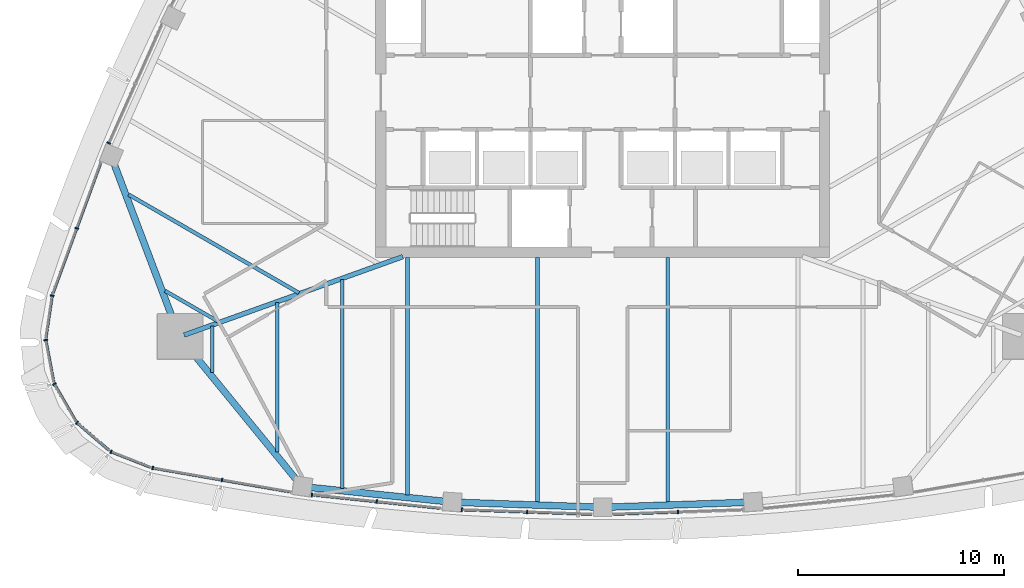
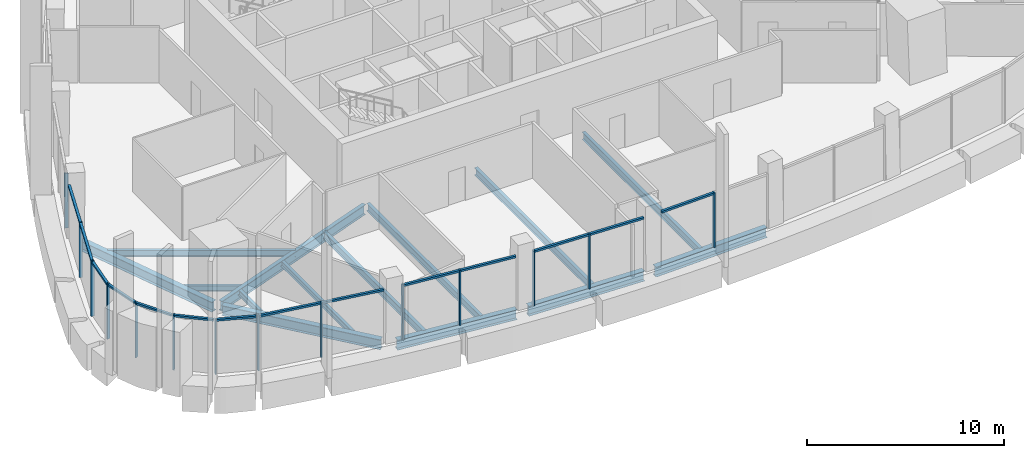
# One storey, part 2 of 19: 28 members, 14 beams, 11 elements without a shape of their own.
"""IFC4 building model written with IfcOpenShell, lengths in metres."""

from ifc_helpers import new_model, si_unit, direction, frame, origin, origin_2d, place, context, subcontext, project, spatial, rectangle, i_section, extrude, material, layer, layer_set, material_profile, profile_set, type_object, element, aggregate, save


model = new_model("IFC4")

# Units and contexts
model_context = context("Model", 3, precision=1e-05, world=origin(), true_north=direction((0.0, 1.0)))
body_context = subcontext(model_context, "Body", "Model", "MODEL_VIEW")
ifc_project = project(units=[si_unit("LENGTHUNIT", "METRE"), si_unit("AREAUNIT", "SQUARE_METRE"), si_unit("VOLUMEUNIT", "CUBIC_METRE"), si_unit("PLANEANGLEUNIT", "RADIAN"), si_unit("MASSUNIT", "GRAM", prefix="KILO")], contexts=[model_context])

# Site, building, storey
site_placement = place(None, origin())
site = spatial("IfcSite", under=ifc_project, at=site_placement, CompositionType="ELEMENT")
building_placement = place(site_placement, origin())
building = spatial("IfcBuilding", under=site, at=building_placement, Name="Sierra Prisma Convention Tower", CompositionType="ELEMENT")
storey_placement = place(building_placement, frame((0.0, 0.0, 295.0)))
storey = spatial("IfcBuildingStorey", under=building, at=storey_placement, Name="L67", CompositionType="ELEMENT", Elevation=295.0)

# Curtain wall, members
ifc_material_1 = material(Name="Aluminium and glass curtain wall", Category="aluminium")
ifc_layer = layer(ifc_material_1, 0.179931640625)
ifc_layer_set = layer_set([ifc_layer], Name="CW-1 Plain shaft curtain wall")
curtain_wall_type = type_object("IfcCurtainWallType", Name="CW-1 Plain shaft curtain wall", PredefinedType="NOTDEFINED", material=ifc_layer_set)
curtain_wall_1_placement = place(storey_placement, origin())
curtain_wall_1 = element("IfcCurtainWall", 1, at=curtain_wall_1_placement, inside=storey, type_object=curtain_wall_type, Name="CW-1 S1 L67", PredefinedType="NOTDEFINED")
ifc_material_2 = material(Name="Aluminium 6063-T6 bronze anodised", Category="aluminium")
ifc_material_profile_1 = material_profile(ifc_material_2, rectangle(XDim=0.179931640625, YDim=0.070068359375, at=origin_2d()), Name="ALU MULLION 70x180")
ifc_profile_set_1 = profile_set([ifc_material_profile_1], Name="Aluminium 6063-T6 bronze anodised")
member_type_1 = type_object("IfcMemberType", Name="CW mullion bronze", PredefinedType="MULLION", material=ifc_profile_set_1)
member_1_placement = place(storey_placement, frame((-21.80859375, -18.202880859375, 0.0), z_axis=(0.0, 0.0, 1.0), x_axis=(0.17132607333, 0.985214381035, 0.0)))
member_1 = element("IfcMember", 2, at=member_1_placement, type_object=member_type_1, Name="CW-1 mullion S1.1", PredefinedType="MULLION", context=body_context, shape_type="SweptSolid", body=[
    extrude(rectangle(XDim=0.179931640625, YDim=0.070068359375, at=origin_2d()), origin(), (0.0, 0.0, 1.0), 3.39990234375),
])
member_2_placement = place(storey_placement, frame((-18.453125, -18.786376953125, 0.0), z_axis=(0.0, 0.0, 1.0), x_axis=(0.17132607333, 0.985214381035, 0.0)))
member_2 = element("IfcMember", 3, at=member_2_placement, type_object=member_type_1, Name="CW-1 mullion S1.2", PredefinedType="MULLION", context=body_context, shape_type="SweptSolid", body=[
    extrude(rectangle(XDim=0.179931640625, YDim=0.070068359375, at=origin_2d()), origin(), (0.0, 0.0, 1.0), 3.39990234375),
])

curtain_wall_2_placement = place(storey_placement, origin())
curtain_wall_2 = element("IfcCurtainWall", 4, at=curtain_wall_2_placement, inside=storey, type_object=curtain_wall_type, Name="CW-1 S2 L67", PredefinedType="NOTDEFINED")
member_3_placement = place(storey_placement, frame((-14.093994140625, -19.507568359375, 0.0), z_axis=(0.0, 0.0, 1.0), x_axis=(0.10312164449, 0.994668752117, 0.0)))
member_3 = element("IfcMember", 5, at=member_3_placement, type_object=member_type_1, Name="CW-1 mullion S2.1", PredefinedType="MULLION", context=body_context, shape_type="SweptSolid", body=[
    extrude(rectangle(XDim=0.179931640625, YDim=0.070068359375, at=origin_2d()), origin(), (0.0, 0.0, 1.0), 3.39990234375),
])
member_4_placement = place(storey_placement, frame((-10.951904296875, -19.833251953125, 0.0), z_axis=(0.0, 0.0, 1.0), x_axis=(0.10312164449, 0.994668752117, 0.0)))
member_4 = element("IfcMember", 6, at=member_4_placement, type_object=member_type_1, Name="CW-1 mullion S2.2", PredefinedType="MULLION", context=body_context, shape_type="SweptSolid", body=[
    extrude(rectangle(XDim=0.179931640625, YDim=0.070068359375, at=origin_2d()), origin(), (0.0, 0.0, 1.0), 3.39990234375),
])

curtain_wall_3_placement = place(storey_placement, origin())
curtain_wall_3 = element("IfcCurtainWall", 7, at=curtain_wall_3_placement, inside=storey, type_object=curtain_wall_type, Name="CW-1 S3 L67", PredefinedType="NOTDEFINED")
member_5_placement = place(storey_placement, frame((-6.83056640625, -20.22607421875, 0.0), z_axis=(0.0, 0.0, 1.0), x_axis=(0.034428292311, 0.999407170621, 0.0)))
member_5 = element("IfcMember", 8, at=member_5_placement, type_object=member_type_1, Name="CW-1 mullion S3.1", PredefinedType="MULLION", context=body_context, shape_type="SweptSolid", body=[
    extrude(rectangle(XDim=0.179931640625, YDim=0.070068359375, at=origin_2d()), origin(), (0.0, 0.0, 1.0), 3.39990234375),
])
member_6_placement = place(storey_placement, frame((-3.65771484375, -20.33544921875, 0.0), z_axis=(0.0, 0.0, 1.0), x_axis=(0.034428292311, 0.999407170621, 0.0)))
member_6 = element("IfcMember", 9, at=member_6_placement, type_object=member_type_1, Name="CW-1 mullion S3.2", PredefinedType="MULLION", context=body_context, shape_type="SweptSolid", body=[
    extrude(rectangle(XDim=0.179931640625, YDim=0.070068359375, at=origin_2d()), origin(), (0.0, 0.0, 1.0), 3.39990234375),
])

# Curtain wall, member
curtain_wall_4_placement = place(storey_placement, origin())
curtain_wall_4 = element("IfcCurtainWall", 10, at=curtain_wall_4_placement, inside=storey, type_object=curtain_wall_type, Name="CW-1 S4 L67", PredefinedType="NOTDEFINED")
member_7_placement = place(storey_placement, frame((3.65771484375, -20.33544921875, 0.0), z_axis=(0.0, 0.0, 1.0), x_axis=(-0.034428292311, 0.999407170621, 0.0)))
member_7 = element("IfcMember", 11, at=member_7_placement, type_object=member_type_1, Name="CW-1 mullion S4.2", PredefinedType="MULLION", context=body_context, shape_type="SweptSolid", body=[
    extrude(rectangle(XDim=0.179931640625, YDim=0.070068359375, at=origin_2d()), origin(), (0.0, 0.0, 1.0), 3.39990234375),
])

curtain_wall_5_placement = place(storey_placement, origin())
curtain_wall_5 = element("IfcCurtainWall", 12, at=curtain_wall_5_placement, inside=storey, type_object=curtain_wall_type, Name="CW-1 NW5 L67", PredefinedType="NOTDEFINED")
member_8_placement = place(storey_placement, frame((-23.94091796875, -2.451904296875, 0.0), z_axis=(0.0, 0.0, 1.0), x_axis=(0.912969229929, -0.40802841225, 0.0)))
member_8 = element("IfcMember", 13, at=member_8_placement, type_object=member_type_1, Name="CW-1 mullion NW5.3", PredefinedType="MULLION", context=body_context, shape_type="SweptSolid", body=[
    extrude(rectangle(XDim=0.179931640625, YDim=0.070068359375, at=origin_2d()), origin(), (0.0, 0.0, 1.0), 3.39990234375),
])
aggregate(curtain_wall_5, [member_8])

curtain_wall_6_placement = place(storey_placement, origin())
curtain_wall_6 = element("IfcCurtainWall", 14, at=curtain_wall_6_placement, inside=storey, type_object=curtain_wall_type, Name="CW-1 NW6 L67", PredefinedType="NOTDEFINED")
member_9_placement = place(storey_placement, frame((-25.49609375, -6.587646484375, 0.0), z_axis=(0.0, 0.0, 1.0), x_axis=(0.938883718815, -0.344234458683, 0.0)))
member_9 = element("IfcMember", 15, at=member_9_placement, type_object=member_type_1, Name="CW-1 mullion NW6.2", PredefinedType="MULLION", context=body_context, shape_type="SweptSolid", body=[
    extrude(rectangle(XDim=0.179931640625, YDim=0.070068359375, at=origin_2d()), origin(), (0.0, 0.0, 1.0), 3.39990234375),
])

curtain_wall_7_placement = place(storey_placement, origin())
curtain_wall_7 = element("IfcCurtainWall", 16, at=curtain_wall_7_placement, inside=storey, type_object=curtain_wall_type, Name="CW-1 SW1 L67", PredefinedType="NOTDEFINED")
member_10_placement = place(storey_placement, frame((-26.685791015625, -9.852783203125, 0.0), z_axis=(0.0, 0.0, 1.0), x_axis=(0.988939193292, -0.148321515535, 0.0)))
member_10 = element("IfcMember", 17, at=member_10_placement, type_object=member_type_1, Name="CW-1 mullion SW1.1", PredefinedType="MULLION", context=body_context, shape_type="SweptSolid", body=[
    extrude(rectangle(XDim=0.179931640625, YDim=0.070068359375, at=origin_2d()), origin(), (0.0, 0.0, 1.0), 3.39990234375),
])

curtain_wall_8_placement = place(storey_placement, origin())
curtain_wall_8 = element("IfcCurtainWall", 18, at=curtain_wall_8_placement, inside=storey, type_object=curtain_wall_type, Name="CW-1 SW2 L67", PredefinedType="NOTDEFINED")
member_11_placement = place(storey_placement, frame((-26.996337890625, -12.00146484375, 0.0), z_axis=(0.0, 0.0, 1.0), x_axis=(0.982498656986, 0.186269667476, 0.0)))
member_11 = element("IfcMember", 19, at=member_11_placement, type_object=member_type_1, Name="CW-1 mullion SW2.1", PredefinedType="MULLION", context=body_context, shape_type="SweptSolid", body=[
    extrude(rectangle(XDim=0.179931640625, YDim=0.070068359375, at=origin_2d()), origin(), (0.0, 0.0, 1.0), 3.39990234375),
])

curtain_wall_9_placement = place(storey_placement, origin())
curtain_wall_9 = element("IfcCurtainWall", 20, at=curtain_wall_9_placement, inside=storey, type_object=curtain_wall_type, Name="CW-1 SW3 L67", PredefinedType="NOTDEFINED")
member_12_placement = place(storey_placement, frame((-26.58056640625, -14.132080078125, 0.0), z_axis=(0.0, 0.0, 1.0), x_axis=(0.866025403784, 0.5, 0.0)))
member_12 = element("IfcMember", 21, at=member_12_placement, type_object=member_type_1, Name="CW-1 mullion SW3.1", PredefinedType="MULLION", context=body_context, shape_type="SweptSolid", body=[
    extrude(rectangle(XDim=0.179931640625, YDim=0.070068359375, at=origin_2d()), origin(), (0.0, 0.0, 1.0), 3.39990234375),
])

curtain_wall_10_placement = place(storey_placement, origin())
curtain_wall_10 = element("IfcCurtainWall", 22, at=curtain_wall_10_placement, inside=storey, type_object=curtain_wall_type, Name="CW-1 SW4 L67", PredefinedType="NOTDEFINED")
member_13_placement = place(storey_placement, frame((-25.485107421875, -16.00634765625, 0.0), z_axis=(0.0, 0.0, 1.0), x_axis=(0.652563592481, 0.757733962396, 0.0)))
member_13 = element("IfcMember", 23, at=member_13_placement, type_object=member_type_1, Name="CW-1 mullion SW4.1", PredefinedType="MULLION", context=body_context, shape_type="SweptSolid", body=[
    extrude(rectangle(XDim=0.179931640625, YDim=0.070068359375, at=origin_2d()), origin(), (0.0, 0.0, 1.0), 3.39990234375),
])

curtain_wall_11_placement = place(storey_placement, origin())
curtain_wall_11 = element("IfcCurtainWall", 24, at=curtain_wall_11_placement, inside=storey, type_object=curtain_wall_type, Name="CW-1 SW5 L67", PredefinedType="NOTDEFINED")
member_14_placement = place(storey_placement, frame((-23.83251953125, -17.414306640625, 0.0), z_axis=(0.0, 0.0, 1.0), x_axis=(0.366019396265, 0.930607221957, 0.0)))
member_14 = element("IfcMember", 25, at=member_14_placement, type_object=member_type_1, Name="CW-1 mullion SW5.1", PredefinedType="MULLION", context=body_context, shape_type="SweptSolid", body=[
    extrude(rectangle(XDim=0.179931640625, YDim=0.070068359375, at=origin_2d()), origin(), (0.0, 0.0, 1.0), 3.39990234375),
])

# Member
ifc_material_3 = material(Name="Aluminium 6063-T6 bronze anodised", Category="aluminium")
ifc_material_profile_2 = material_profile(ifc_material_3, rectangle(XDim=0.139892578125, YDim=0.1201171875, at=origin_2d()), Name="ALU TRANSOM 120x140")
ifc_profile_set_2 = profile_set([ifc_material_profile_2], Name="Aluminium 6063-T6 bronze anodised")
member_type_2 = type_object("IfcMemberType", Name="CW transom bronze", PredefinedType="USERDEFINED", material=ifc_profile_set_2)
member_15_placement = place(storey_placement, frame((-21.774169921875, -18.208740234375, 3.340087890625), z_axis=(0.985214440381, -0.171325732056, 0.0), x_axis=(0.171325732056, 0.985214440381, 0.0)))
member_15 = element("IfcMember", 26, at=member_15_placement, type_object=member_type_2, Name="CW-1 transom S1.1", ObjectType="TRANSOM", PredefinedType="USERDEFINED", context=body_context, shape_type="SweptSolid", body=[
    extrude(rectangle(XDim=0.139892578125, YDim=0.1201171875, at=origin_2d()), origin(), (0.0, 0.0, 1.0), 3.3359375),
])

member_16_placement = place(storey_placement, frame((-18.418701171875, -18.79248046875, 3.340087890625), z_axis=(0.985226791035, -0.171254694029, 0.0), x_axis=(0.171254694029, 0.985226791035, 0.0)))
member_16 = element("IfcMember", 27, at=member_16_placement, type_object=member_type_2, Name="CW-1 transom S1.2", ObjectType="TRANSOM", PredefinedType="USERDEFINED", context=body_context, shape_type="SweptSolid", body=[
    extrude(rectangle(XDim=0.139892578125, YDim=0.1201171875, at=origin_2d()), origin(), (0.0, 0.0, 1.0), 3.3359375),
])

aggregate(curtain_wall_1, [member_1, member_2, member_15, member_16])

member_17_placement = place(storey_placement, frame((-14.05908203125, -19.510986328125, 3.340087890625), z_axis=(0.994666658703, -0.103141834693, 0.0), x_axis=(0.103141834693, 0.994666658703, 0.0)))
member_17 = element("IfcMember", 28, at=member_17_placement, type_object=member_type_2, Name="CW-1 transom S2.1", ObjectType="TRANSOM", PredefinedType="USERDEFINED", context=body_context, shape_type="SweptSolid", body=[
    extrude(rectangle(XDim=0.139892578125, YDim=0.1201171875, at=origin_2d()), origin(), (0.0, 0.0, 1.0), 3.0888671875),
])

member_18_placement = place(storey_placement, frame((-10.9169921875, -19.8369140625, 3.340087890625), z_axis=(0.994674764125, -0.103063638651, 0.0), x_axis=(0.103063638651, 0.994674764125, 0.0)))
member_18 = element("IfcMember", 29, at=member_18_placement, type_object=member_type_2, Name="CW-1 transom S2.2", ObjectType="TRANSOM", PredefinedType="USERDEFINED", context=body_context, shape_type="SweptSolid", body=[
    extrude(rectangle(XDim=0.139892578125, YDim=0.1201171875, at=origin_2d()), origin(), (0.0, 0.0, 1.0), 3.0888671875),
])

aggregate(curtain_wall_2, [member_3, member_4, member_17, member_18])

member_19_placement = place(storey_placement, frame((-6.795654296875, -20.227294921875, 3.340087890625), z_axis=(0.999406746212, -0.034440610137, 0.0), x_axis=(0.034440610137, 0.999406746212, 0.0)))
member_19 = element("IfcMember", 30, at=member_19_placement, type_object=member_type_2, Name="CW-1 transom S3.1", ObjectType="TRANSOM", PredefinedType="USERDEFINED", context=body_context, shape_type="SweptSolid", body=[
    extrude(rectangle(XDim=0.139892578125, YDim=0.1201171875, at=origin_2d()), origin(), (0.0, 0.0, 1.0), 3.10498046875),
])

member_20_placement = place(storey_placement, frame((-3.62255859375, -20.336669921875, 3.340087890625), z_axis=(0.999406652931, -0.034443316861, 0.0), x_axis=(0.034443316861, 0.999406652931, 0.0)))
member_20 = element("IfcMember", 31, at=member_20_placement, type_object=member_type_2, Name="CW-1 transom S3.2", ObjectType="TRANSOM", PredefinedType="USERDEFINED", context=body_context, shape_type="SweptSolid", body=[
    extrude(rectangle(XDim=0.139892578125, YDim=0.1201171875, at=origin_2d()), origin(), (0.0, 0.0, 1.0), 3.104736328125),
])

aggregate(curtain_wall_3, [member_5, member_6, member_19, member_20])

member_21_placement = place(storey_placement, frame((0.519775390625, -20.443603515625, 3.340087890625), z_axis=(0.999406652931, 0.034443316861, 0.0), x_axis=(-0.034443316861, 0.999406652931, 0.0)))
member_21 = element("IfcMember", 32, at=member_21_placement, type_object=member_type_2, Name="CW-1 transom S4.1", ObjectType="TRANSOM", PredefinedType="USERDEFINED", context=body_context, shape_type="SweptSolid", body=[
    extrude(rectangle(XDim=0.139892578125, YDim=0.1201171875, at=origin_2d()), origin(), (0.0, 0.0, 1.0), 3.104736328125),
])

aggregate(curtain_wall_4, [member_7, member_21])

member_22_placement = place(storey_placement, frame((-24.335693359375, -3.4228515625, 3.340087890625), z_axis=(-0.344192286452, -0.938899179863, 0.0), x_axis=(0.938899179863, -0.344192286452, 0.0)))
member_22 = element("IfcMember", 33, at=member_22_placement, type_object=member_type_2, Name="CW-1 transom NW6.1", ObjectType="TRANSOM", PredefinedType="USERDEFINED", context=body_context, shape_type="SweptSolid", body=[
    extrude(rectangle(XDim=0.139892578125, YDim=0.1201171875, at=origin_2d()), origin(), (0.0, 0.0, 1.0), 3.3359375),
])

member_23_placement = place(storey_placement, frame((-25.508056640625, -6.62060546875, 3.340087890625), z_axis=(-0.344280455095, -0.938866853308, 0.0), x_axis=(0.938866853308, -0.344280455095, 0.0)))
member_23 = element("IfcMember", 34, at=member_23_placement, type_object=member_type_2, Name="CW-1 transom NW6.2", ObjectType="TRANSOM", PredefinedType="USERDEFINED", context=body_context, shape_type="SweptSolid", body=[
    extrude(rectangle(XDim=0.139892578125, YDim=0.1201171875, at=origin_2d()), origin(), (0.0, 0.0, 1.0), 3.335693359375),
])

aggregate(curtain_wall_6, [member_9, member_22, member_23])

member_24_placement = place(storey_placement, frame((-26.69091796875, -9.887451171875, 3.340087890625), z_axis=(-0.148328706786, -0.988938114719, 0.0), x_axis=(0.988938114719, -0.148328706786, 0.0)))
member_24 = element("IfcMember", 35, at=member_24_placement, type_object=member_type_2, Name="CW-1 transom SW1.1", ObjectType="TRANSOM", PredefinedType="USERDEFINED", context=body_context, shape_type="SweptSolid", body=[
    extrude(rectangle(XDim=0.139892578125, YDim=0.1201171875, at=origin_2d()), origin(), (0.0, 0.0, 1.0), 2.03271484375),
])

aggregate(curtain_wall_7, [member_10, member_24])

member_25_placement = place(storey_placement, frame((-26.98974609375, -12.035888671875, 3.340087890625), z_axis=(0.186267693135, -0.982499031294, 0.0), x_axis=(0.982499031294, 0.186267693135, 0.0)))
member_25 = element("IfcMember", 36, at=member_25_placement, type_object=member_type_2, Name="CW-1 transom SW2.1", ObjectType="TRANSOM", PredefinedType="USERDEFINED", context=body_context, shape_type="SweptSolid", body=[
    extrude(rectangle(XDim=0.139892578125, YDim=0.1201171875, at=origin_2d()), origin(), (0.0, 0.0, 1.0), 2.032958984375),
])

aggregate(curtain_wall_8, [member_11, member_25])

member_26_placement = place(storey_placement, frame((-26.56298828125, -14.16259765625, 3.340087890625), z_axis=(0.499975428181, -0.866039589866, 0.0), x_axis=(0.866039589866, 0.499975428181, 0.0)))
member_26 = element("IfcMember", 37, at=member_26_placement, type_object=member_type_2, Name="CW-1 transom SW3.1", ObjectType="TRANSOM", PredefinedType="USERDEFINED", context=body_context, shape_type="SweptSolid", body=[
    extrude(rectangle(XDim=0.139892578125, YDim=0.1201171875, at=origin_2d()), origin(), (0.0, 0.0, 1.0), 2.03271484375),
])

aggregate(curtain_wall_9, [member_12, member_26])

member_27_placement = place(storey_placement, frame((-25.45849609375, -16.029296875, 3.340087890625), z_axis=(0.757694567991, -0.65260933309, 0.0), x_axis=(0.65260933309, 0.757694567991, 0.0)))
member_27 = element("IfcMember", 38, at=member_27_placement, type_object=member_type_2, Name="CW-1 transom SW4.1", ObjectType="TRANSOM", PredefinedType="USERDEFINED", context=body_context, shape_type="SweptSolid", body=[
    extrude(rectangle(XDim=0.139892578125, YDim=0.1201171875, at=origin_2d()), origin(), (0.0, 0.0, 1.0), 2.032958984375),
])

aggregate(curtain_wall_10, [member_13, member_27])

member_28_placement = place(storey_placement, frame((-23.800048828125, -17.42724609375, 3.340087890625), z_axis=(0.930639048396, -0.365938466959, 0.0), x_axis=(0.365938466959, 0.930639048396, 0.0)))
member_28 = element("IfcMember", 39, at=member_28_placement, type_object=member_type_2, Name="CW-1 transom SW5.1", ObjectType="TRANSOM", PredefinedType="USERDEFINED", context=body_context, shape_type="SweptSolid", body=[
    extrude(rectangle(XDim=0.139892578125, YDim=0.1201171875, at=origin_2d()), origin(), (0.0, 0.0, 1.0), 2.032958984375),
])

aggregate(curtain_wall_11, [member_14, member_28])

# Beams
ifc_material_4 = material(Name="Steel ASTM A992 Gr 50", Category="steel")
ifc_material_profile_3 = material_profile(ifc_material_4, i_section(OverallWidth=0.172119140625, OverallDepth=0.35791015625, WebThickness=0.0078125, FlangeThickness=0.01318359375, at=origin_2d()), Name="W360x57")
ifc_profile_set_3 = profile_set([ifc_material_profile_3], Name="Steel ASTM A992 Gr 50")
beam_type_1 = type_object("IfcBeamType", Name="Floor joist W360x57", PredefinedType="JOIST", material=ifc_profile_set_3)
beam_1_placement = place(storey_placement, frame((-18.933349609375, -13.565185546875, -0.3291015625), z_axis=(0.0, 1.0, 0.0), x_axis=(-1.0, 0.0, 0.0)))
element("IfcBeam", 40, at=beam_1_placement, inside=storey, type_object=beam_type_1, Name="Floor joist L67 S01", PredefinedType="JOIST", context=body_context, shape_type="SweptSolid", body=[
    extrude(i_section(OverallWidth=0.172119140625, OverallDepth=0.35791015625, WebThickness=0.0078125, FlangeThickness=0.01318359375, at=origin_2d()), origin(), (0.0, 0.0, 1.0), 2.240234375),
])
beam_2_placement = place(storey_placement, frame((-15.77783203125, -17.424560546875, -0.3291015625), z_axis=(0.0, 1.0, 0.0), x_axis=(-1.0, 0.0, 0.0)))
element("IfcBeam", 41, at=beam_2_placement, inside=storey, type_object=beam_type_1, Name="Floor joist L67 S02", PredefinedType="JOIST", context=body_context, shape_type="SweptSolid", body=[
    extrude(i_section(OverallWidth=0.172119140625, OverallDepth=0.35791015625, WebThickness=0.0078125, FlangeThickness=0.01318359375, at=origin_2d()), origin(), (0.0, 0.0, 1.0), 7.2314453125),
])
beam_3_placement = place(storey_placement, frame((-21.21435546875, -9.6142578125, -0.3291015625), z_axis=(0.866040543018, -0.499973777161, 0.0), x_axis=(0.499973777161, 0.866040543018, 0.0)))
element("IfcBeam", 42, at=beam_3_placement, inside=storey, type_object=beam_type_1, Name="Floor joist L67 NW13", PredefinedType="JOIST", context=body_context, shape_type="SweptSolid", body=[
    extrude(i_section(OverallWidth=0.172119140625, OverallDepth=0.35791015625, WebThickness=0.0078125, FlangeThickness=0.01318359375, at=origin_2d()), origin(), (0.0, 0.0, 1.0), 2.999267578125),
])
ifc_material_5 = material(Name="Steel ASTM A992 Gr 50", Category="steel")
ifc_material_profile_4 = material_profile(ifc_material_5, i_section(OverallWidth=0.177978515625, OverallDepth=0.406982421875, WebThickness=0.0078125, FlangeThickness=0.0126953125, at=origin_2d()), Name="W410x60")
ifc_profile_set_4 = profile_set([ifc_material_profile_4], Name="Steel ASTM A992 Gr 50")
beam_type_2 = type_object("IfcBeamType", Name="Floor joist W410x60", PredefinedType="JOIST", material=ifc_profile_set_4)
beam_4_placement = place(storey_placement, frame((-22.97900390625, -4.95166015625, -0.353515625), z_axis=(0.866023074121, -0.500004035075, 0.0), x_axis=(0.500004035075, 0.866023074121, 0.0)))
element("IfcBeam", 43, at=beam_4_placement, inside=storey, type_object=beam_type_2, Name="Floor joist L67 NW12", PredefinedType="JOIST", context=body_context, shape_type="SweptSolid", body=[
    extrude(i_section(OverallWidth=0.177978515625, OverallDepth=0.406982421875, WebThickness=0.0078125, FlangeThickness=0.0126953125, at=origin_2d()), origin(), (0.0, 0.0, 1.0), 9.53173828125),
])
ifc_material_6 = material(Name="Steel ASTM A992 Gr 50", Category="steel")
ifc_material_profile_5 = material_profile(ifc_material_6, i_section(OverallWidth=0.18994140625, OverallDepth=0.45703125, WebThickness=0.009033203125, FlangeThickness=0.014404296875, at=origin_2d()), Name="W460x74")
ifc_profile_set_5 = profile_set([ifc_material_profile_5], Name="Steel ASTM A992 Gr 50")
beam_type_3 = type_object("IfcBeamType", Name="Floor joist W460x74", PredefinedType="JOIST", material=ifc_profile_set_5)
beam_5_placement = place(storey_placement, frame((-12.622314453125, -19.195068359375, -0.37841796875), z_axis=(0.0, 1.0, 0.0), x_axis=(-1.0, 0.0, 0.0)))
element("IfcBeam", 44, at=beam_5_placement, inside=storey, type_object=beam_type_3, Name="Floor joist L67 S03", PredefinedType="JOIST", context=body_context, shape_type="SweptSolid", body=[
    extrude(i_section(OverallWidth=0.18994140625, OverallDepth=0.45703125, WebThickness=0.009033203125, FlangeThickness=0.014404296875, at=origin_2d()), origin(), (0.0, 0.0, 1.0), 10.1337890625),
])
beam_6_placement = place(storey_placement, frame((-9.466552734375, -19.522216796875, -0.37841796875), z_axis=(0.0, 1.0, 0.0), x_axis=(-1.0, 0.0, 0.0)))
element("IfcBeam", 45, at=beam_6_placement, inside=storey, type_object=beam_type_3, Name="Floor joist L67 S04", PredefinedType="JOIST", context=body_context, shape_type="SweptSolid", body=[
    extrude(i_section(OverallWidth=0.18994140625, OverallDepth=0.45703125, WebThickness=0.009033203125, FlangeThickness=0.014404296875, at=origin_2d()), origin(), (0.0, 0.0, 1.0), 11.522216796875),
])
for number, where, z_axis, x_axis, name in (
    (46, (-3.155517578125, -19.89013671875, -0.37841796875), (0.0, 1.0, 0.0), (-1.0, 0.0, 0.0), "Floor joist L67 S06"),
    (47, (3.155517578125, -19.89013671875, -0.37841796875), (0.0, 1.0, 0.0), (-1.0, 0.0, 0.0), "Floor joist L67 S08"),
):
    element("IfcBeam", number, at=place(storey_placement, frame(where, z_axis=z_axis, x_axis=x_axis)), inside=storey, type_object=beam_type_3, Name=name, PredefinedType="JOIST", context=body_context, shape_type="SweptSolid", body=[
        extrude(i_section(OverallWidth=0.18994140625, OverallDepth=0.45703125, WebThickness=0.009033203125, FlangeThickness=0.014404296875, at=origin_2d()), origin(), (0.0, 0.0, 1.0), 11.89013671875),
    ])
ifc_material_7 = material(Name="Steel ASTM A992 Gr 50", Category="steel")
ifc_material_profile_6 = material_profile(ifc_material_7, i_section(OverallWidth=0.22998046875, OverallDepth=0.616943359375, WebThickness=0.01318359375, FlangeThickness=0.022216796875, at=origin_2d()), Name="W610x140")
ifc_profile_set_6 = profile_set([ifc_material_profile_6], Name="Steel ASTM A992 Gr 50")
beam_type_4 = type_object("IfcBeamType", Name="Radial girder W610x140", PredefinedType="BEAM", material=ifc_profile_set_6)
beam_7_placement = place(storey_placement, frame((-20.291015625, -11.76318359375, -0.45849609375), z_axis=(0.941275220678, 0.337640280383, 0.0), x_axis=(-0.337640280383, 0.941275220678, 0.0)))
element("IfcBeam", 48, at=beam_7_placement, inside=storey, type_object=beam_type_4, Name="Radial girder L67 SW", PredefinedType="BEAM", context=body_context, shape_type="SweptSolid", body=[
    extrude(i_section(OverallWidth=0.22998046875, OverallDepth=0.616943359375, WebThickness=0.01318359375, FlangeThickness=0.022216796875, at=origin_2d()), origin(), (0.0, 0.0, 1.0), 11.265625),
])
ifc_material_8 = material(Name="Steel ASTM A992 Gr 50", Category="steel")
ifc_material_profile_7 = material_profile(ifc_material_8, i_section(OverallWidth=0.324951171875, OverallDepth=0.615966796875, WebThickness=0.013916015625, FlangeThickness=0.021484375, at=origin_2d()), Name="W610x174")
ifc_profile_set_7 = profile_set([ifc_material_profile_7], Name="Steel ASTM A992 Gr 50")
beam_type_5 = type_object("IfcBeamType", Name="Spandrel beam W610x174", PredefinedType="BEAM", material=ifc_profile_set_7)
beam_8_placement = place(storey_placement, frame((-20.331298828125, -12.06201171875, -0.4580078125), z_axis=(0.632973570915, -0.774173403394, 0.0), x_axis=(0.774173403394, 0.632973570915, 0.0)))
element("IfcBeam", 49, at=beam_8_placement, inside=storey, type_object=beam_type_5, Name="Spandrel L67-01", PredefinedType="BEAM", context=body_context, shape_type="SweptSolid", body=[
    extrude(i_section(OverallWidth=0.324951171875, OverallDepth=0.615966796875, WebThickness=0.013916015625, FlangeThickness=0.021484375, at=origin_2d()), origin(), (0.0, 0.0, 1.0), 8.60546875),
])
beam_9_placement = place(storey_placement, frame((-14.243408203125, -19.140380859375, -0.4580078125), z_axis=(0.994671422662, -0.103095882262, 0.0), x_axis=(0.103095882262, 0.994671422662, 0.0)))
element("IfcBeam", 50, at=beam_9_placement, inside=storey, type_object=beam_type_5, Name="Spandrel L67-02", PredefinedType="BEAM", context=body_context, shape_type="SweptSolid", body=[
    extrude(i_section(OverallWidth=0.324951171875, OverallDepth=0.615966796875, WebThickness=0.013916015625, FlangeThickness=0.021484375, at=origin_2d()), origin(), (0.0, 0.0, 1.0), 6.647216796875),
])
for number, where, z_axis, x_axis, name in (
    (51, (-6.97314453125, -19.87109375, -0.4580078125), (0.999406348275, -0.03445215563, 0.0), (0.03445215563, 0.999406348275, 0.0), "Spandrel L67-03"),
    (52, (0.330078125, -20.10009765625, -0.4580078125), (0.999406348275, 0.03445215563, 0.0), (-0.03445215563, 0.999406348275, 0.0), "Spandrel L67-04"),
):
    element("IfcBeam", number, at=place(storey_placement, frame(where, z_axis=z_axis, x_axis=x_axis)), inside=storey, type_object=beam_type_5, Name=name, PredefinedType="BEAM", context=body_context, shape_type="SweptSolid", body=[
        extrude(i_section(OverallWidth=0.324951171875, OverallDepth=0.615966796875, WebThickness=0.013916015625, FlangeThickness=0.021484375, at=origin_2d()), origin(), (0.0, 0.0, 1.0), 6.64697265625),
    ])
beam_10_placement = place(storey_placement, frame((-23.65771484375, -3.528076171875, -0.4580078125), z_axis=(0.353956791383, -0.9352617761, 0.0), x_axis=(0.9352617761, 0.353956791383, 0.0)))
element("IfcBeam", 53, at=beam_10_placement, inside=storey, type_object=beam_type_5, Name="Spandrel L67-18", PredefinedType="BEAM", context=body_context, shape_type="SweptSolid", body=[
    extrude(i_section(OverallWidth=0.324951171875, OverallDepth=0.615966796875, WebThickness=0.013916015625, FlangeThickness=0.021484375, at=origin_2d()), origin(), (0.0, 0.0, 1.0), 8.654296875),
])

save(model, "model.ifc")
